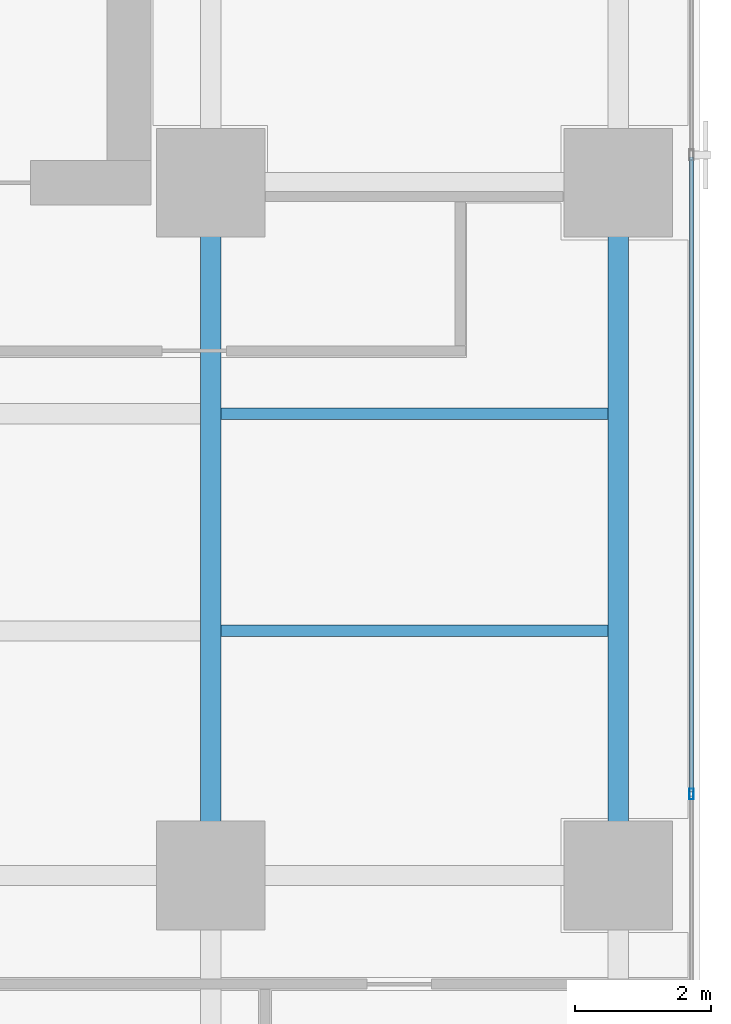
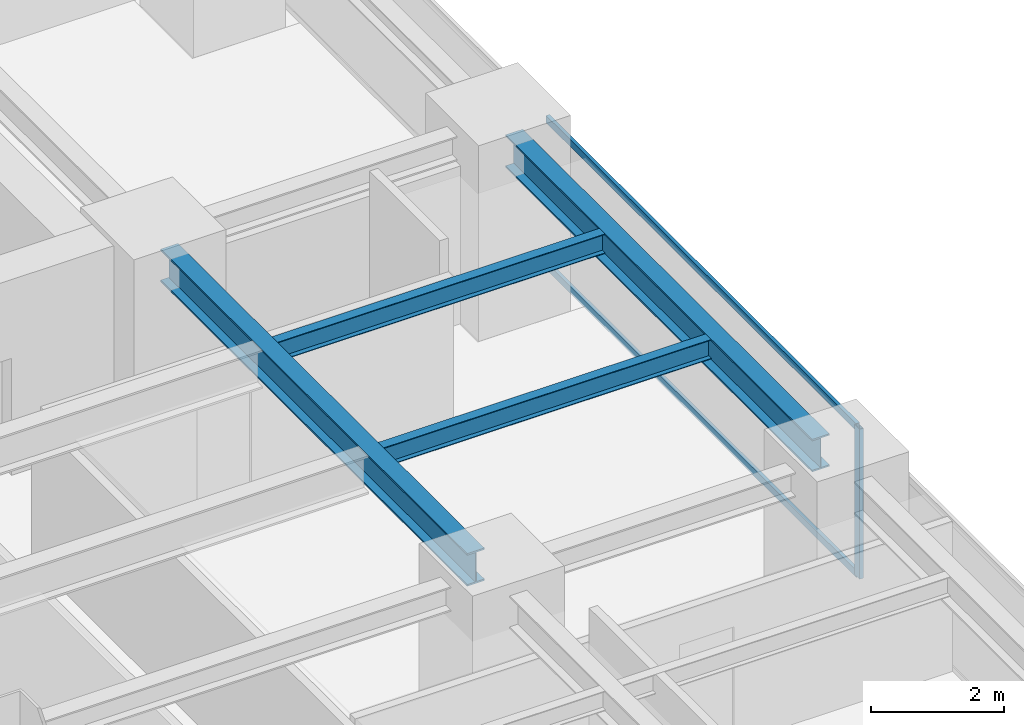
# One storey, part 13 of 28: 4 beams, 3 members, 1 element without a shape of its own.
"""IFC4 building model written with IfcOpenShell, lengths in metres."""

import ifcopenshell
import ifcopenshell.guid

model = None  # the IFC model being written
_history = None  # IfcOwnerHistory: only IFC2X3 demands one
_inside = {}  # id of a spatial element -> (the spatial element, [elements in it])
_under = {}  # id of a project, library or spatial element -> (it, [spatial elements below it])
_declared = {}  # id of a project -> (the project, [libraries it declares])
_typed = {}  # id of a type object -> (the type object, [elements of that type])
_made_of = {}  # id of a material, layer set ... -> (it, [elements and type objects made of it])


def new_model(schema):
    """Start an empty IFC model of exactly this schema.

    Asked for "IFC4X3", IfcOpenShell would pick the latest addendum, in which some entities
    have other attributes; the version numbers below select the first issue.
    IFC2X3 requires an IfcOwnerHistory on every rooted entity: one is made here for all.
    """
    global model, _history
    if schema == "IFC4X3":
        model = ifcopenshell.file(schema_version=(4, 3, 0, 0))
    else:
        model = ifcopenshell.file(schema=schema)
    _inside.clear()
    _under.clear()
    _declared.clear()
    _typed.clear()
    _made_of.clear()
    _history = None
    if model.schema == "IFC2X3":
        org = make("IfcOrganization", Name="unknown")
        user = make(
            "IfcPersonAndOrganization",
            ThePerson=make("IfcPerson", FamilyName="unknown"),
            TheOrganization=org,
        )
        app = make(
            "IfcApplication",
            ApplicationDeveloper=org,
            Version="unknown",
            ApplicationFullName="unknown",
            ApplicationIdentifier="unknown",
        )
        _history = make(
            "IfcOwnerHistory",
            OwningUser=user,
            OwningApplication=app,
            ChangeAction="ADDED",
            CreationDate=0,
        )
    return model


def make(cls, **values):
    """One entity of the class cls with the attributes given. An attribute that is None is left unset."""
    return model.create_entity(
        cls, **{name: value for name, value in values.items() if value is not None}
    )


def rooted(cls, **values):
    """An entity with a GlobalId (a new one), such as an element, a storey or a relation."""
    return make(cls, GlobalId=ifcopenshell.guid.new(), OwnerHistory=_history, **values)


def si_unit(unit_type, name, prefix=None):
    """IfcSIUnit, for example si_unit("LENGTHUNIT", "METRE", prefix="MILLI")."""
    return make("IfcSIUnit", UnitType=unit_type, Prefix=prefix, Name=name)


def assignment(units):
    """IfcUnitAssignment: the units of a project."""
    return None if units is None else make("IfcUnitAssignment", Units=units)


def point(xyz):
    """IfcCartesianPoint."""
    return None if xyz is None else make("IfcCartesianPoint", Coordinates=xyz)


def direction(xyz):
    """IfcDirection."""
    return None if xyz is None else make("IfcDirection", DirectionRatios=xyz)


def frame(location, z_axis=None, x_axis=None):
    """IfcAxis2Placement3D, a coordinate frame: its origin and axes. An axis left out is left unset."""
    return make(
        "IfcAxis2Placement3D",
        Location=point(location),
        Axis=direction(z_axis),
        RefDirection=direction(x_axis),
    )


def frame_2d(location, x_axis=None):
    """IfcAxis2Placement2D, a coordinate frame in the plane: its origin and x axis."""
    return make(
        "IfcAxis2Placement2D", Location=point(location), RefDirection=direction(x_axis)
    )


def origin():
    """The frame at (0, 0, 0) with its axes left unset."""
    return frame((0.0, 0.0, 0.0))


def origin_2d():
    """The frame at (0, 0) in the plane with its x axis left unset."""
    return frame_2d((0.0, 0.0))


def place(relative_to, where):
    """IfcLocalPlacement: puts the frame where relative to a parent placement (None: the world)."""
    return make(
        "IfcLocalPlacement", PlacementRelTo=relative_to, RelativePlacement=where
    )


def context(
    kind, dimensions, precision=None, world=None, true_north=None, identifier=None
):
    """IfcGeometricRepresentationContext, for example the 3D "Model" context."""
    return make(
        "IfcGeometricRepresentationContext",
        ContextIdentifier=identifier,
        ContextType=kind,
        CoordinateSpaceDimension=dimensions,
        Precision=precision,
        WorldCoordinateSystem=world,
        TrueNorth=true_north,
    )


def subcontext(parent, identifier, kind, view, scale=None):
    """IfcGeometricRepresentationSubContext, for example "Body" below "Model"."""
    return make(
        "IfcGeometricRepresentationSubContext",
        ContextIdentifier=identifier,
        ContextType=kind,
        ParentContext=parent,
        TargetScale=scale,
        TargetView=view,
    )


def project(units=None, contexts=None):
    """IfcProject with its units and contexts."""
    return rooted(
        "IfcProject",
        Name="project",
        RepresentationContexts=contexts,
        UnitsInContext=assignment(units),
    )


def spatial(cls, under=None, at=None, **own):
    """A site, building, storey or space (cls), placed at a placement, below another one or the project."""
    s = rooted(cls, ObjectPlacement=at, **own)
    if under is not None:
        _under.setdefault(under.id(), (under, []))[1].append(s)
    return s


def profile(cls, at=None, kind="AREA", **sizes):
    """A parametric profile (cls). Its sizes go by their IFC names, for example OverallWidth=200.0."""
    return make(cls, ProfileType=kind, Position=at, **sizes)


def hollow_rectangle(**sizes):
    """IfcRectangleHollowProfileDef."""
    return profile("IfcRectangleHollowProfileDef", **sizes)


def i_section(**sizes):
    """IfcIShapeProfileDef."""
    return profile("IfcIShapeProfileDef", **sizes)


def extrude(swept, where, along, depth):
    """IfcExtrudedAreaSolid: the profile swept, set in the frame where, extruded along a direction by depth."""
    return make(
        "IfcExtrudedAreaSolid",
        SweptArea=swept,
        Position=where,
        ExtrudedDirection=direction(along),
        Depth=depth,
    )


def shape(context_of_items, identifier, shape_type, items):
    """IfcShapeRepresentation: the items that make up one representation, for example the "Body"."""
    return make(
        "IfcShapeRepresentation",
        ContextOfItems=context_of_items,
        RepresentationIdentifier=identifier,
        RepresentationType=shape_type,
        Items=items,
    )


def source(mapping_origin, context_of_items, identifier, shape_type, items):
    """IfcRepresentationMap: a shape defined once, which mapped items show again and again."""
    return make(
        "IfcRepresentationMap",
        MappingOrigin=mapping_origin,
        MappedRepresentation=shape(context_of_items, identifier, shape_type, items),
    )


def transform(
    local_origin,
    x_axis=None,
    y_axis=None,
    z_axis=None,
    scale=None,
    scale2=None,
    scale3=None,
    uniform=True,
):
    """IfcCartesianTransformationOperator3D, or its non-uniform kind. x_axis, y_axis, z_axis: its Axis1, 2, 3."""
    if uniform:
        return make(
            "IfcCartesianTransformationOperator3D",
            Axis1=direction(x_axis),
            Axis2=direction(y_axis),
            LocalOrigin=point(local_origin),
            Scale=scale,
            Axis3=direction(z_axis),
        )
    return make(
        "IfcCartesianTransformationOperator3DnonUniform",
        Axis1=direction(x_axis),
        Axis2=direction(y_axis),
        LocalOrigin=point(local_origin),
        Scale=scale,
        Axis3=direction(z_axis),
        Scale2=scale2,
        Scale3=scale3,
    )


def mapped(mapping_source, mapping_target):
    """IfcMappedItem: shows the shape of a source again, moved by a transform."""
    return make(
        "IfcMappedItem", MappingSource=mapping_source, MappingTarget=mapping_target
    )


def material(Name=None, Category=None):
    """IfcMaterial."""
    return make("IfcMaterial", Name=Name, Category=Category)


def layer(
    of_material, thickness, ventilated=None, Name=None, Category=None, Priority=None
):
    """IfcMaterialLayer: one layer of a wall or slab, of a material (None: an air gap)."""
    return make(
        "IfcMaterialLayer",
        Material=of_material,
        LayerThickness=thickness,
        IsVentilated=ventilated,
        Name=Name,
        Category=Category,
        Priority=Priority,
    )


def layer_set(layers, Name=None):
    """IfcMaterialLayerSet."""
    return make("IfcMaterialLayerSet", MaterialLayers=layers, LayerSetName=Name)


def material_profile(
    of_material, cross_section, Name=None, Category=None, Priority=None
):
    """IfcMaterialProfile: a cross section and its material."""
    return make(
        "IfcMaterialProfile",
        Name=Name,
        Material=of_material,
        Profile=cross_section,
        Priority=Priority,
        Category=Category,
    )


def profile_set(profiles, Name=None, composite=None):
    """IfcMaterialProfileSet."""
    return make(
        "IfcMaterialProfileSet",
        Name=Name,
        MaterialProfiles=profiles,
        CompositeProfile=composite,
    )


def made_of(thing, what):
    """Note that an element or type object is made of a material, layer set ...; save() writes the relation."""
    if what is not None:
        _made_of.setdefault(what.id(), (what, []))[1].append(thing)
    return thing


def type_object(cls, material=None, **own):
    """A type object (cls), such as IfcWallType, which elements share."""
    return made_of(rooted(cls, **own), material)


def element(
    cls,
    number,
    at=None,
    inside=None,
    cuts=None,
    type_object=None,
    material=None,
    context=None,
    identifier="Body",
    shape_type=None,
    held_by="IfcProductDefinitionShape",
    body=None,
    shapes=None,
    **own,
):
    """One element of the class cls, such as IfcWall. Its Tag is "e" and its number.

    at: its placement. inside: the storey or other place that contains it. cuts: it is an
    opening in that element (IfcRelVoidsElement). A single representation is given by context,
    identifier, shape_type and body (its items); several are given by shapes. held_by: the class
    of the entity that holds the representations. save() writes the other relations.
    """
    e = rooted(cls, Tag="e%d" % number, ObjectPlacement=at, **own)
    if body is not None:
        shapes = [shape(context, identifier, shape_type, body)]
    if shapes is not None:
        e.Representation = make(held_by, Representations=shapes)
    if inside is not None:
        _inside.setdefault(inside.id(), (inside, []))[1].append(e)
    if cuts is not None:
        rooted(
            "IfcRelVoidsElement", RelatingBuildingElement=cuts, RelatedOpeningElement=e
        )
    if type_object is not None:
        _typed.setdefault(type_object.id(), (type_object, []))[1].append(e)
    return made_of(e, material)


def aggregate(whole, parts):
    """IfcRelAggregates: a whole, such as a stair, and the parts it consists of."""
    return rooted("IfcRelAggregates", RelatingObject=whole, RelatedObjects=parts)


def save(model, path):
    """Write the relations noted so far, then the file.

    IfcRelAggregates (storeys below a building ...), IfcRelContainedInSpatialStructure (elements
    in a storey), IfcRelDefinesByType, IfcRelAssociatesMaterial and IfcRelDeclares: one each for
    every whole, place, type object, material and project.
    """
    for whole, parts in _under.values():
        aggregate(whole, parts)
    for where, things in _inside.values():
        rooted(
            "IfcRelContainedInSpatialStructure",
            RelatedElements=things,
            RelatingStructure=where,
        )
    for kind, things in _typed.values():
        rooted("IfcRelDefinesByType", RelatedObjects=things, RelatingType=kind)
    for what, things in _made_of.values():
        rooted("IfcRelAssociatesMaterial", RelatedObjects=things, RelatingMaterial=what)
    for by, libraries in _declared.values():
        rooted("IfcRelDeclares", RelatingContext=by, RelatedDefinitions=libraries)
    model.write(path)


model = new_model("IFC4")

# Units and contexts
model_context = context("Model", 3, precision=1e-05, world=origin(), true_north=direction((0.0, 1.0)))
body_context = subcontext(model_context, "Body", "Model", "MODEL_VIEW")
ifc_project = project(units=[si_unit("LENGTHUNIT", "METRE"), si_unit("AREAUNIT", "SQUARE_METRE"), si_unit("VOLUMEUNIT", "CUBIC_METRE"), si_unit("PLANEANGLEUNIT", "RADIAN"), si_unit("MASSUNIT", "GRAM", prefix="KILO")], contexts=[model_context])

# Site, building, storey
site_placement = place(None, origin())
site = spatial("IfcSite", under=ifc_project, at=site_placement, CompositionType="ELEMENT")
building_placement = place(site_placement, origin())
building = spatial("IfcBuilding", under=site, at=building_placement, Name="Sumidabori Civic Tower", CompositionType="ELEMENT")
storey_placement = place(building_placement, frame((0.0, 0.0, 146.0)))
storey = spatial("IfcBuildingStorey", under=building, at=storey_placement, Name="L37", CompositionType="ELEMENT", Elevation=146.0)

# Beams
ifc_material_1 = material(Name="Steel SN490", Category="steel")
ifc_material_profile_1 = material_profile(ifc_material_1, i_section(OverallWidth=0.300048828125, OverallDepth=0.60009765625, WebThickness=0.015380859375, FlangeThickness=0.030029296875, at=origin_2d()), Name="HE 600 B")
ifc_profile_set_1 = profile_set([ifc_material_profile_1], Name="Steel SN490")
beam_type_1 = type_object("IfcBeamType", Name="BM-GIRD-600", PredefinedType="BEAM", material=ifc_profile_set_1)
shared_shape_1 = source(origin(), body_context, "Body", "SweptSolid", [
    extrude(i_section(OverallWidth=0.300048828125, OverallDepth=0.60009765625, WebThickness=0.015380859375, FlangeThickness=0.030029296875, at=origin_2d()), origin(), (0.0, 0.0, 1.0), 9.239990234375),
])
for number, where, z_axis, x_axis, name in (
    (1, (16.800048828125, 0.47998046875, 3.080078125), (0.0, 1.0, 0.0), (-1.0, 0.0, 0.0), "Primary Girder L37 GY-34"),
    (2, (22.800048828125, 0.47998046875, 3.080078125), (0.0, 1.0, 0.0), (-1.0, 0.0, 0.0), "Primary Girder L37 GY-37"),
):
    element("IfcBeam", number, at=place(storey_placement, frame(where, z_axis=z_axis, x_axis=x_axis)), inside=storey, type_object=beam_type_1, Name=name, PredefinedType="BEAM", context=body_context, shape_type="MappedRepresentation", body=[
        mapped(shared_shape_1, transform((0.0, 0.0, 0.0), x_axis=(1.0, 0.0, 0.0), y_axis=(0.0, 1.0, 0.0), z_axis=(0.0, 0.0, 1.0), scale=1.0)),
    ])
ifc_material_profile_2 = material_profile(ifc_material_1, i_section(OverallWidth=0.169921875, OverallDepth=0.360107421875, WebThickness=0.008056640625, FlangeThickness=0.0126953125, at=origin_2d()), Name="IPE 360")
ifc_profile_set_2 = profile_set([ifc_material_profile_2], Name="Steel SN490")
beam_type_2 = type_object("IfcBeamType", Name="BM-JST-360", PredefinedType="JOIST", material=ifc_profile_set_2)
shared_shape_2 = source(origin(), body_context, "Body", "SweptSolid", [
    extrude(i_section(OverallWidth=0.169921875, OverallDepth=0.360107421875, WebThickness=0.008056640625, FlangeThickness=0.0126953125, at=origin_2d()), origin(), (0.0, 0.0, 1.0), 5.699951171875),
])
for number, where, z_axis, x_axis, name in (
    (3, (16.949951171875, 3.60009765625, 3.199951171875), (1.0, 0.0, 0.0), (0.0, 1.0, 0.0), "Outer Bay Floor Joist L37 JSTO-44"),
    (4, (16.949951171875, 6.800048828125, 3.199951171875), (1.0, 0.0, 0.0), (0.0, 1.0, 0.0), "Outer Bay Floor Joist L37 JSTO-46"),
):
    element("IfcBeam", number, at=place(storey_placement, frame(where, z_axis=z_axis, x_axis=x_axis)), inside=storey, type_object=beam_type_2, Name=name, PredefinedType="JOIST", context=body_context, shape_type="MappedRepresentation", body=[
        mapped(shared_shape_2, transform((0.0, 0.0, 0.0), x_axis=(1.0, 0.0, 0.0), y_axis=(0.0, 1.0, 0.0), z_axis=(0.0, 0.0, 1.0), scale=1.0)),
    ])

# Curtain wall, members
ifc_material_2 = material(Name="Anodised Bronze Aluminium AW-6063-T6", Category="aluminium")
ifc_layer = layer(ifc_material_2, 0.179931640625, Name="Anodised Bronze Aluminium AW-6063-T6")
ifc_layer_set = layer_set([ifc_layer], Name="Anodised Bronze Aluminium AW-6063-T6")
curtain_wall_type = type_object("IfcCurtainWallType", Name="CW-SYS-3", PredefinedType="NOTDEFINED", material=ifc_layer_set)
curtain_wall_placement = place(storey_placement, origin())
curtain_wall = element("IfcCurtainWall", 5, at=curtain_wall_placement, inside=storey, type_object=curtain_wall_type, Name="Curtain Wall CW:L37:R04", PredefinedType="NOTDEFINED")
ifc_material_profile_3 = material_profile(ifc_material_2, hollow_rectangle(XDim=0.06494140625, YDim=0.159912109375, WallThickness=0.0048828125, at=origin_2d()), Name="ALU MULLION 160x65")
ifc_profile_set_3 = profile_set([ifc_material_profile_3], Name="Anodised Bronze Aluminium AW-6063-T6")
member_type_1 = type_object("IfcMemberType", Name="CW-MUL-160", PredefinedType="MULLION", material=ifc_profile_set_3)
shared_shape_3 = source(origin(), body_context, "Body", "SweptSolid", [
    extrude(hollow_rectangle(XDim=0.06494140625, YDim=0.159912109375, WallThickness=0.0048828125, at=origin_2d()), origin(), (0.0, 0.0, 1.0), 2.760009765625),
])
member_1_placement = place(storey_placement, frame((23.8798828125, 1.199951171875, 0.0), z_axis=(0.0, 0.0, 1.0), x_axis=(-1.0, 0.0, 0.0)))
member_1 = element("IfcMember", 6, at=member_1_placement, type_object=member_type_1, Name="CW-3 mullion 3", PredefinedType="MULLION", context=body_context, shape_type="MappedRepresentation", body=[
    mapped(shared_shape_3, transform((0.0, 0.0, 0.0), x_axis=(1.0, 0.0, 0.0), y_axis=(0.0, 1.0, 0.0), z_axis=(0.0, 0.0, 1.0), scale=1.0)),
])
ifc_material_profile_4 = material_profile(ifc_material_2, hollow_rectangle(XDim=0.06005859375, YDim=0.1298828125, WallThickness=0.0048828125, at=origin_2d()), Name="ALU TRANSOM 130x60")
ifc_profile_set_4 = profile_set([ifc_material_profile_4], Name="Anodised Bronze Aluminium AW-6063-T6")
member_type_2 = type_object("IfcMemberType", Name="CW-TRN-130", PredefinedType="USERDEFINED", material=ifc_profile_set_4)
shared_shape_4 = source(origin(), body_context, "Body", "SweptSolid", [
    extrude(hollow_rectangle(XDim=0.06005859375, YDim=0.1298828125, WallThickness=0.0048828125, at=origin_2d()), origin(), (0.0, 0.0, 1.0), 9.344970703125),
])
member_2_placement = place(storey_placement, frame((23.8798828125, 1.232421875, 0.030029296875), z_axis=(0.0, 1.0, 0.0), x_axis=(-1.0, 0.0, 0.0)))
member_2 = element("IfcMember", 7, at=member_2_placement, type_object=member_type_2, Name="CW-3 transom 3.1", ObjectType="TRANSOM", PredefinedType="USERDEFINED", context=body_context, shape_type="MappedRepresentation", body=[
    mapped(shared_shape_4, transform((0.0, 0.0, 0.0), x_axis=(1.0, 0.0, 0.0), y_axis=(0.0, 1.0, 0.0), z_axis=(0.0, 0.0, 1.0), scale=1.0)),
])
member_3_placement = place(storey_placement, frame((23.8798828125, 1.232421875, 2.72998046875), z_axis=(0.0, 1.0, 0.0), x_axis=(-1.0, 0.0, 0.0)))
member_3 = element("IfcMember", 8, at=member_3_placement, type_object=member_type_2, Name="CW-3 transom 3.2", ObjectType="TRANSOM", PredefinedType="USERDEFINED", context=body_context, shape_type="MappedRepresentation", body=[
    mapped(shared_shape_4, transform((0.0, 0.0, 0.0), x_axis=(1.0, 0.0, 0.0), y_axis=(0.0, 1.0, 0.0), z_axis=(0.0, 0.0, 1.0), scale=1.0)),
])
aggregate(curtain_wall, [member_1, member_2, member_3])

save(model, "model.ifc")
